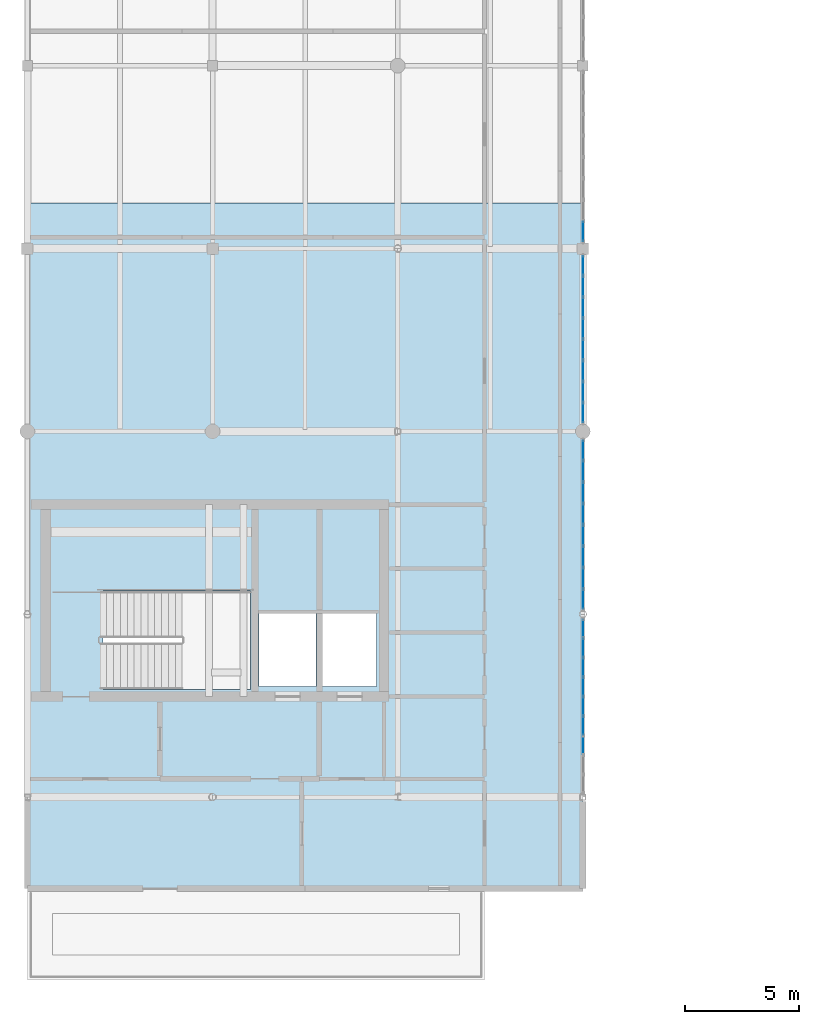
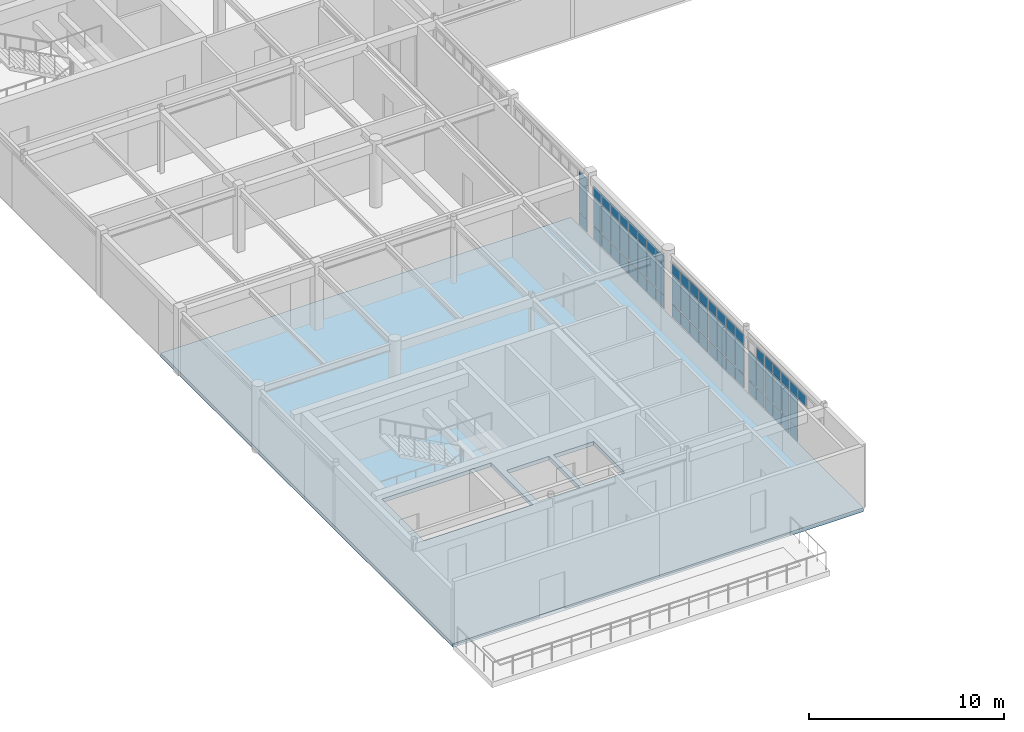
# One storey, part 9 of 18: 69 plates, 1 slab, 4 elements without a shape of their own.
"""IFC4 building model written with IfcOpenShell, lengths in metres."""

from ifc_helpers import new_model, si_unit, direction, frame, origin, origin_2d, place, context, subcontext, project, spatial, polyline, rectangle, outline, extrude, material, layer, layer_set, type_object, element, aggregate, save


model = new_model("IFC4")

# Units and contexts
model_context = context("Model", 3, precision=1e-05, world=origin(), true_north=direction((0.0, 1.0)))
body_context = subcontext(model_context, "Body", "Model", "MODEL_VIEW")
ifc_project = project(units=[si_unit("LENGTHUNIT", "METRE"), si_unit("AREAUNIT", "SQUARE_METRE"), si_unit("VOLUMEUNIT", "CUBIC_METRE"), si_unit("PLANEANGLEUNIT", "RADIAN"), si_unit("MASSUNIT", "GRAM", prefix="KILO")], contexts=[model_context])

# Site, building, storey
site_placement = place(None, origin())
site = spatial("IfcSite", under=ifc_project, at=site_placement, CompositionType="ELEMENT")
building_placement = place(site_placement, origin())
building = spatial("IfcBuilding", under=site, at=building_placement, Name="Tarnveldt Square Police Headquarters", CompositionType="ELEMENT")
storey_placement = place(building_placement, frame((0.0, 0.0, 29.10009765625)))
storey = spatial("IfcBuildingStorey", under=building, at=storey_placement, Name="L06", CompositionType="ELEMENT", Elevation=29.10009765625)

# Curtain wall, plates
ifc_material_1 = material(Name="Triple-glazed low-e laminated vision glass", Category="glass")
curtain_wall_type_1 = type_object("IfcCurtainWallType", Name="CW-UP-768x349", PredefinedType="USERDEFINED", material=ifc_material_1)
curtain_wall_1_placement = place(storey_placement, origin())
curtain_wall_1 = element("IfcCurtainWall", 1, at=curtain_wall_1_placement, inside=storey, type_object=curtain_wall_type_1, Name="L06 Curtain Wall CW-L06-089", ObjectType="GLAZED CURTAIN WALL", PredefinedType="USERDEFINED")
ifc_layer_1 = layer(ifc_material_1, 0.028076171875)
ifc_layer_set_1 = layer_set([ifc_layer_1], Name="Triple-glazed low-e laminated vision glass")
plate_type = type_object("IfcPlateType", Name="CWP-VIS-28", PredefinedType="CURTAIN_PANEL", material=ifc_layer_set_1)
plate_1_placement = place(storey_placement, frame((40.5, 58.275634765625, 2.771484375), z_axis=(0.0, 0.0, 1.0), x_axis=(0.0, 1.0, 0.0)))
plate_1 = element("IfcPlate", 2, at=plate_1_placement, type_object=plate_type, Name="CW-UP47 panel 3.3", PredefinedType="CURTAIN_PANEL", context=body_context, shape_type="SweptSolid", body=[
    extrude(rectangle(XDim=0.788330078125, YDim=0.028076171875, at=origin_2d()), origin(), (0.0, 0.0, 1.0), 0.652587890625),
])
plate_2_placement = place(storey_placement, frame((40.5, 59.129150390625, 0.06494140625), z_axis=(0.0, 0.0, 1.0), x_axis=(0.0, 1.0, 0.0)))
plate_2 = element("IfcPlate", 3, at=plate_2_placement, type_object=plate_type, Name="CW-UP47 panel 4.1", PredefinedType="CURTAIN_PANEL", context=body_context, shape_type="SweptSolid", body=[
    extrude(rectangle(XDim=0.788330078125, YDim=0.028076171875, at=origin_2d()), origin(), (0.0, 0.0, 1.0), 0.802490234375),
])
plate_3_placement = place(storey_placement, frame((40.5, 59.129150390625, 0.932373046875), z_axis=(0.0, 0.0, 1.0), x_axis=(0.0, 1.0, 0.0)))
plate_3 = element("IfcPlate", 4, at=plate_3_placement, type_object=plate_type, Name="CW-UP47 panel 4.2", PredefinedType="CURTAIN_PANEL", context=body_context, shape_type="SweptSolid", body=[
    extrude(rectangle(XDim=0.788330078125, YDim=0.028076171875, at=origin_2d()), origin(), (0.0, 0.0, 1.0), 1.77392578125),
])
plate_4_placement = place(storey_placement, frame((40.5, 59.129150390625, 2.771484375), z_axis=(0.0, 0.0, 1.0), x_axis=(0.0, 1.0, 0.0)))
plate_4 = element("IfcPlate", 5, at=plate_4_placement, type_object=plate_type, Name="CW-UP47 panel 4.3", PredefinedType="CURTAIN_PANEL", context=body_context, shape_type="SweptSolid", body=[
    extrude(rectangle(XDim=0.788330078125, YDim=0.028076171875, at=origin_2d()), origin(), (0.0, 0.0, 1.0), 0.652587890625),
])
plate_5_placement = place(storey_placement, frame((40.5, 59.982421875, 0.06494140625), z_axis=(0.0, 0.0, 1.0), x_axis=(0.0, 1.0, 0.0)))
plate_5 = element("IfcPlate", 6, at=plate_5_placement, type_object=plate_type, Name="CW-UP47 panel 5.1", PredefinedType="CURTAIN_PANEL", context=body_context, shape_type="SweptSolid", body=[
    extrude(rectangle(XDim=0.788330078125, YDim=0.028076171875, at=origin_2d()), origin(), (0.0, 0.0, 1.0), 0.802490234375),
])
plate_6_placement = place(storey_placement, frame((40.5, 59.982421875, 0.932373046875), z_axis=(0.0, 0.0, 1.0), x_axis=(0.0, 1.0, 0.0)))
plate_6 = element("IfcPlate", 7, at=plate_6_placement, type_object=plate_type, Name="CW-UP47 panel 5.2", PredefinedType="CURTAIN_PANEL", context=body_context, shape_type="SweptSolid", body=[
    extrude(rectangle(XDim=0.788330078125, YDim=0.028076171875, at=origin_2d()), origin(), (0.0, 0.0, 1.0), 1.77392578125),
])
plate_7_placement = place(storey_placement, frame((40.5, 59.982421875, 2.771484375), z_axis=(0.0, 0.0, 1.0), x_axis=(0.0, 1.0, 0.0)))
plate_7 = element("IfcPlate", 8, at=plate_7_placement, type_object=plate_type, Name="CW-UP47 panel 5.3", PredefinedType="CURTAIN_PANEL", context=body_context, shape_type="SweptSolid", body=[
    extrude(rectangle(XDim=0.788330078125, YDim=0.028076171875, at=origin_2d()), origin(), (0.0, 0.0, 1.0), 0.652587890625),
])
plate_8_placement = place(storey_placement, frame((40.5, 60.8359375, 0.06494140625), z_axis=(0.0, 0.0, 1.0), x_axis=(0.0, 1.0, 0.0)))
plate_8 = element("IfcPlate", 9, at=plate_8_placement, type_object=plate_type, Name="CW-UP47 panel 6.1", PredefinedType="CURTAIN_PANEL", context=body_context, shape_type="SweptSolid", body=[
    extrude(rectangle(XDim=0.788330078125, YDim=0.028076171875, at=origin_2d()), origin(), (0.0, 0.0, 1.0), 0.802490234375),
])
plate_9_placement = place(storey_placement, frame((40.5, 60.8359375, 0.932373046875), z_axis=(0.0, 0.0, 1.0), x_axis=(0.0, 1.0, 0.0)))
plate_9 = element("IfcPlate", 10, at=plate_9_placement, type_object=plate_type, Name="CW-UP47 panel 6.2", PredefinedType="CURTAIN_PANEL", context=body_context, shape_type="SweptSolid", body=[
    extrude(rectangle(XDim=0.788330078125, YDim=0.028076171875, at=origin_2d()), origin(), (0.0, 0.0, 1.0), 1.77392578125),
])
plate_10_placement = place(storey_placement, frame((40.5, 60.8359375, 2.771484375), z_axis=(0.0, 0.0, 1.0), x_axis=(0.0, 1.0, 0.0)))
plate_10 = element("IfcPlate", 11, at=plate_10_placement, type_object=plate_type, Name="CW-UP47 panel 6.3", PredefinedType="CURTAIN_PANEL", context=body_context, shape_type="SweptSolid", body=[
    extrude(rectangle(XDim=0.788330078125, YDim=0.028076171875, at=origin_2d()), origin(), (0.0, 0.0, 1.0), 0.652587890625),
])
plate_11_placement = place(storey_placement, frame((40.5, 61.689453125, 0.06494140625), z_axis=(0.0, 0.0, 1.0), x_axis=(0.0, 1.0, 0.0)))
plate_11 = element("IfcPlate", 12, at=plate_11_placement, type_object=plate_type, Name="CW-UP47 panel 7.1", PredefinedType="CURTAIN_PANEL", context=body_context, shape_type="SweptSolid", body=[
    extrude(rectangle(XDim=0.788330078125, YDim=0.028076171875, at=origin_2d()), origin(), (0.0, 0.0, 1.0), 0.802490234375),
])
plate_12_placement = place(storey_placement, frame((40.5, 61.689453125, 0.932373046875), z_axis=(0.0, 0.0, 1.0), x_axis=(0.0, 1.0, 0.0)))
plate_12 = element("IfcPlate", 13, at=plate_12_placement, type_object=plate_type, Name="CW-UP47 panel 7.2", PredefinedType="CURTAIN_PANEL", context=body_context, shape_type="SweptSolid", body=[
    extrude(rectangle(XDim=0.788330078125, YDim=0.028076171875, at=origin_2d()), origin(), (0.0, 0.0, 1.0), 1.77392578125),
])
plate_13_placement = place(storey_placement, frame((40.5, 61.689453125, 2.771484375), z_axis=(0.0, 0.0, 1.0), x_axis=(0.0, 1.0, 0.0)))
plate_13 = element("IfcPlate", 14, at=plate_13_placement, type_object=plate_type, Name="CW-UP47 panel 7.3", PredefinedType="CURTAIN_PANEL", context=body_context, shape_type="SweptSolid", body=[
    extrude(rectangle(XDim=0.788330078125, YDim=0.028076171875, at=origin_2d()), origin(), (0.0, 0.0, 1.0), 0.652587890625),
])
plate_14_placement = place(storey_placement, frame((40.5, 62.542724609375, 0.06494140625), z_axis=(0.0, 0.0, 1.0), x_axis=(0.0, 1.0, 0.0)))
plate_14 = element("IfcPlate", 15, at=plate_14_placement, type_object=plate_type, Name="CW-UP47 panel 8.1", PredefinedType="CURTAIN_PANEL", context=body_context, shape_type="SweptSolid", body=[
    extrude(rectangle(XDim=0.788330078125, YDim=0.028076171875, at=origin_2d()), origin(), (0.0, 0.0, 1.0), 0.802490234375),
])
plate_15_placement = place(storey_placement, frame((40.5, 62.542724609375, 0.932373046875), z_axis=(0.0, 0.0, 1.0), x_axis=(0.0, 1.0, 0.0)))
plate_15 = element("IfcPlate", 16, at=plate_15_placement, type_object=plate_type, Name="CW-UP47 panel 8.2", PredefinedType="CURTAIN_PANEL", context=body_context, shape_type="SweptSolid", body=[
    extrude(rectangle(XDim=0.788330078125, YDim=0.028076171875, at=origin_2d()), origin(), (0.0, 0.0, 1.0), 1.77392578125),
])
plate_16_placement = place(storey_placement, frame((40.5, 62.542724609375, 2.771484375), z_axis=(0.0, 0.0, 1.0), x_axis=(0.0, 1.0, 0.0)))
plate_16 = element("IfcPlate", 17, at=plate_16_placement, type_object=plate_type, Name="CW-UP47 panel 8.3", PredefinedType="CURTAIN_PANEL", context=body_context, shape_type="SweptSolid", body=[
    extrude(rectangle(XDim=0.788330078125, YDim=0.028076171875, at=origin_2d()), origin(), (0.0, 0.0, 1.0), 0.652587890625),
])
plate_17_placement = place(storey_placement, frame((40.5, 63.380126953125, 0.06494140625), z_axis=(0.0, 0.0, 1.0), x_axis=(0.0, 1.0, 0.0)))
plate_17 = element("IfcPlate", 18, at=plate_17_placement, type_object=plate_type, Name="CW-UP47 panel 9.1", PredefinedType="CURTAIN_PANEL", context=body_context, shape_type="SweptSolid", body=[
    extrude(rectangle(XDim=0.755859375, YDim=0.028076171875, at=origin_2d()), origin(), (0.0, 0.0, 1.0), 0.802490234375),
])
plate_18_placement = place(storey_placement, frame((40.5, 63.380126953125, 0.932373046875), z_axis=(0.0, 0.0, 1.0), x_axis=(0.0, 1.0, 0.0)))
plate_18 = element("IfcPlate", 19, at=plate_18_placement, type_object=plate_type, Name="CW-UP47 panel 9.2", PredefinedType="CURTAIN_PANEL", context=body_context, shape_type="SweptSolid", body=[
    extrude(rectangle(XDim=0.755859375, YDim=0.028076171875, at=origin_2d()), origin(), (0.0, 0.0, 1.0), 1.77392578125),
])
aggregate(curtain_wall_1, [plate_1, plate_2, plate_3, plate_4, plate_5, plate_6, plate_7, plate_8, plate_9, plate_10, plate_11, plate_12, plate_13, plate_14, plate_15, plate_16, plate_17, plate_18])

curtain_wall_type_2 = type_object("IfcCurtainWallType", Name="CW-UP-748x349", PredefinedType="USERDEFINED", material=ifc_material_1)
curtain_wall_2_placement = place(storey_placement, origin())
curtain_wall_2 = element("IfcCurtainWall", 20, at=curtain_wall_2_placement, inside=storey, type_object=curtain_wall_type_2, Name="L06 Curtain Wall CW-L06-090", ObjectType="GLAZED CURTAIN WALL", PredefinedType="USERDEFINED")
plate_19_placement = place(storey_placement, frame((40.5, 64.660888671875, 0.06494140625), z_axis=(0.0, 0.0, 1.0), x_axis=(0.0, 1.0, 0.0)))
plate_19 = element("IfcPlate", 21, at=plate_19_placement, type_object=plate_type, Name="CW-UP44 panel 1.1", PredefinedType="CURTAIN_PANEL", context=body_context, shape_type="SweptSolid", body=[
    extrude(rectangle(XDim=0.837890625, YDim=0.028076171875, at=origin_2d()), origin(), (0.0, 0.0, 1.0), 0.802490234375),
])
plate_20_placement = place(storey_placement, frame((40.5, 64.660888671875, 0.932373046875), z_axis=(0.0, 0.0, 1.0), x_axis=(0.0, 1.0, 0.0)))
plate_20 = element("IfcPlate", 22, at=plate_20_placement, type_object=plate_type, Name="CW-UP44 panel 1.2", PredefinedType="CURTAIN_PANEL", context=body_context, shape_type="SweptSolid", body=[
    extrude(rectangle(XDim=0.837890625, YDim=0.028076171875, at=origin_2d()), origin(), (0.0, 0.0, 1.0), 1.77392578125),
])
plate_21_placement = place(storey_placement, frame((40.5, 64.660888671875, 2.771484375), z_axis=(0.0, 0.0, 1.0), x_axis=(0.0, 1.0, 0.0)))
plate_21 = element("IfcPlate", 23, at=plate_21_placement, type_object=plate_type, Name="CW-UP44 panel 1.3", PredefinedType="CURTAIN_PANEL", context=body_context, shape_type="SweptSolid", body=[
    extrude(rectangle(XDim=0.837890625, YDim=0.028076171875, at=origin_2d()), origin(), (0.0, 0.0, 1.0), 0.652587890625),
])
plate_22_placement = place(storey_placement, frame((40.5, 65.580078125, 0.06494140625), z_axis=(0.0, 0.0, 1.0), x_axis=(0.0, 1.0, 0.0)))
plate_22 = element("IfcPlate", 24, at=plate_22_placement, type_object=plate_type, Name="CW-UP44 panel 2.1", PredefinedType="CURTAIN_PANEL", context=body_context, shape_type="SweptSolid", body=[
    extrude(rectangle(XDim=0.870361328125, YDim=0.028076171875, at=origin_2d()), origin(), (0.0, 0.0, 1.0), 0.802490234375),
])
plate_23_placement = place(storey_placement, frame((40.5, 65.580078125, 0.932373046875), z_axis=(0.0, 0.0, 1.0), x_axis=(0.0, 1.0, 0.0)))
plate_23 = element("IfcPlate", 25, at=plate_23_placement, type_object=plate_type, Name="CW-UP44 panel 2.2", PredefinedType="CURTAIN_PANEL", context=body_context, shape_type="SweptSolid", body=[
    extrude(rectangle(XDim=0.870361328125, YDim=0.028076171875, at=origin_2d()), origin(), (0.0, 0.0, 1.0), 1.77392578125),
])
plate_24_placement = place(storey_placement, frame((40.5, 65.580078125, 2.771484375), z_axis=(0.0, 0.0, 1.0), x_axis=(0.0, 1.0, 0.0)))
plate_24 = element("IfcPlate", 26, at=plate_24_placement, type_object=plate_type, Name="CW-UP44 panel 2.3", PredefinedType="CURTAIN_PANEL", context=body_context, shape_type="SweptSolid", body=[
    extrude(rectangle(XDim=0.870361328125, YDim=0.028076171875, at=origin_2d()), origin(), (0.0, 0.0, 1.0), 0.652587890625),
])
plate_25_placement = place(storey_placement, frame((40.5, 66.515380859375, 0.06494140625), z_axis=(0.0, 0.0, 1.0), x_axis=(0.0, 1.0, 0.0)))
plate_25 = element("IfcPlate", 27, at=plate_25_placement, type_object=plate_type, Name="CW-UP44 panel 3.1", PredefinedType="CURTAIN_PANEL", context=body_context, shape_type="SweptSolid", body=[
    extrude(rectangle(XDim=0.870361328125, YDim=0.028076171875, at=origin_2d()), origin(), (0.0, 0.0, 1.0), 0.802490234375),
])
plate_26_placement = place(storey_placement, frame((40.5, 66.515380859375, 0.932373046875), z_axis=(0.0, 0.0, 1.0), x_axis=(0.0, 1.0, 0.0)))
plate_26 = element("IfcPlate", 28, at=plate_26_placement, type_object=plate_type, Name="CW-UP44 panel 3.2", PredefinedType="CURTAIN_PANEL", context=body_context, shape_type="SweptSolid", body=[
    extrude(rectangle(XDim=0.870361328125, YDim=0.028076171875, at=origin_2d()), origin(), (0.0, 0.0, 1.0), 1.77392578125),
])
plate_27_placement = place(storey_placement, frame((40.5, 66.515380859375, 2.771484375), z_axis=(0.0, 0.0, 1.0), x_axis=(0.0, 1.0, 0.0)))
plate_27 = element("IfcPlate", 29, at=plate_27_placement, type_object=plate_type, Name="CW-UP44 panel 3.3", PredefinedType="CURTAIN_PANEL", context=body_context, shape_type="SweptSolid", body=[
    extrude(rectangle(XDim=0.870361328125, YDim=0.028076171875, at=origin_2d()), origin(), (0.0, 0.0, 1.0), 0.652587890625),
])
plate_28_placement = place(storey_placement, frame((40.5, 67.450927734375, 0.06494140625), z_axis=(0.0, 0.0, 1.0), x_axis=(0.0, 1.0, 0.0)))
plate_28 = element("IfcPlate", 30, at=plate_28_placement, type_object=plate_type, Name="CW-UP44 panel 4.1", PredefinedType="CURTAIN_PANEL", context=body_context, shape_type="SweptSolid", body=[
    extrude(rectangle(XDim=0.870361328125, YDim=0.028076171875, at=origin_2d()), origin(), (0.0, 0.0, 1.0), 0.802490234375),
])
plate_29_placement = place(storey_placement, frame((40.5, 67.450927734375, 0.932373046875), z_axis=(0.0, 0.0, 1.0), x_axis=(0.0, 1.0, 0.0)))
plate_29 = element("IfcPlate", 31, at=plate_29_placement, type_object=plate_type, Name="CW-UP44 panel 4.2", PredefinedType="CURTAIN_PANEL", context=body_context, shape_type="SweptSolid", body=[
    extrude(rectangle(XDim=0.870361328125, YDim=0.028076171875, at=origin_2d()), origin(), (0.0, 0.0, 1.0), 1.77392578125),
])
plate_30_placement = place(storey_placement, frame((40.5, 67.450927734375, 2.771484375), z_axis=(0.0, 0.0, 1.0), x_axis=(0.0, 1.0, 0.0)))
plate_30 = element("IfcPlate", 32, at=plate_30_placement, type_object=plate_type, Name="CW-UP44 panel 4.3", PredefinedType="CURTAIN_PANEL", context=body_context, shape_type="SweptSolid", body=[
    extrude(rectangle(XDim=0.870361328125, YDim=0.028076171875, at=origin_2d()), origin(), (0.0, 0.0, 1.0), 0.652587890625),
])
plate_31_placement = place(storey_placement, frame((40.5, 68.38623046875, 0.06494140625), z_axis=(0.0, 0.0, 1.0), x_axis=(0.0, 1.0, 0.0)))
plate_31 = element("IfcPlate", 33, at=plate_31_placement, type_object=plate_type, Name="CW-UP44 panel 5.1", PredefinedType="CURTAIN_PANEL", context=body_context, shape_type="SweptSolid", body=[
    extrude(rectangle(XDim=0.870361328125, YDim=0.028076171875, at=origin_2d()), origin(), (0.0, 0.0, 1.0), 0.802490234375),
])
plate_32_placement = place(storey_placement, frame((40.5, 68.38623046875, 0.932373046875), z_axis=(0.0, 0.0, 1.0), x_axis=(0.0, 1.0, 0.0)))
plate_32 = element("IfcPlate", 34, at=plate_32_placement, type_object=plate_type, Name="CW-UP44 panel 5.2", PredefinedType="CURTAIN_PANEL", context=body_context, shape_type="SweptSolid", body=[
    extrude(rectangle(XDim=0.870361328125, YDim=0.028076171875, at=origin_2d()), origin(), (0.0, 0.0, 1.0), 1.77392578125),
])
plate_33_placement = place(storey_placement, frame((40.5, 68.38623046875, 2.771484375), z_axis=(0.0, 0.0, 1.0), x_axis=(0.0, 1.0, 0.0)))
plate_33 = element("IfcPlate", 35, at=plate_33_placement, type_object=plate_type, Name="CW-UP44 panel 5.3", PredefinedType="CURTAIN_PANEL", context=body_context, shape_type="SweptSolid", body=[
    extrude(rectangle(XDim=0.870361328125, YDim=0.028076171875, at=origin_2d()), origin(), (0.0, 0.0, 1.0), 0.652587890625),
])
plate_34_placement = place(storey_placement, frame((40.5, 69.321533203125, 0.06494140625), z_axis=(0.0, 0.0, 1.0), x_axis=(0.0, 1.0, 0.0)))
plate_34 = element("IfcPlate", 36, at=plate_34_placement, type_object=plate_type, Name="CW-UP44 panel 6.1", PredefinedType="CURTAIN_PANEL", context=body_context, shape_type="SweptSolid", body=[
    extrude(rectangle(XDim=0.870361328125, YDim=0.028076171875, at=origin_2d()), origin(), (0.0, 0.0, 1.0), 0.802490234375),
])
plate_35_placement = place(storey_placement, frame((40.5, 69.321533203125, 0.932373046875), z_axis=(0.0, 0.0, 1.0), x_axis=(0.0, 1.0, 0.0)))
plate_35 = element("IfcPlate", 37, at=plate_35_placement, type_object=plate_type, Name="CW-UP44 panel 6.2", PredefinedType="CURTAIN_PANEL", context=body_context, shape_type="SweptSolid", body=[
    extrude(rectangle(XDim=0.870361328125, YDim=0.028076171875, at=origin_2d()), origin(), (0.0, 0.0, 1.0), 1.77392578125),
])
plate_36_placement = place(storey_placement, frame((40.5, 69.321533203125, 2.771484375), z_axis=(0.0, 0.0, 1.0), x_axis=(0.0, 1.0, 0.0)))
plate_36 = element("IfcPlate", 38, at=plate_36_placement, type_object=plate_type, Name="CW-UP44 panel 6.3", PredefinedType="CURTAIN_PANEL", context=body_context, shape_type="SweptSolid", body=[
    extrude(rectangle(XDim=0.870361328125, YDim=0.028076171875, at=origin_2d()), origin(), (0.0, 0.0, 1.0), 0.652587890625),
])
plate_37_placement = place(storey_placement, frame((40.5, 70.2568359375, 0.06494140625), z_axis=(0.0, 0.0, 1.0), x_axis=(0.0, 1.0, 0.0)))
plate_37 = element("IfcPlate", 39, at=plate_37_placement, type_object=plate_type, Name="CW-UP44 panel 7.1", PredefinedType="CURTAIN_PANEL", context=body_context, shape_type="SweptSolid", body=[
    extrude(rectangle(XDim=0.870361328125, YDim=0.028076171875, at=origin_2d()), origin(), (0.0, 0.0, 1.0), 0.802490234375),
])
plate_38_placement = place(storey_placement, frame((40.5, 70.2568359375, 0.932373046875), z_axis=(0.0, 0.0, 1.0), x_axis=(0.0, 1.0, 0.0)))
plate_38 = element("IfcPlate", 40, at=plate_38_placement, type_object=plate_type, Name="CW-UP44 panel 7.2", PredefinedType="CURTAIN_PANEL", context=body_context, shape_type="SweptSolid", body=[
    extrude(rectangle(XDim=0.870361328125, YDim=0.028076171875, at=origin_2d()), origin(), (0.0, 0.0, 1.0), 1.77392578125),
])
plate_39_placement = place(storey_placement, frame((40.5, 70.2568359375, 2.771484375), z_axis=(0.0, 0.0, 1.0), x_axis=(0.0, 1.0, 0.0)))
plate_39 = element("IfcPlate", 41, at=plate_39_placement, type_object=plate_type, Name="CW-UP44 panel 7.3", PredefinedType="CURTAIN_PANEL", context=body_context, shape_type="SweptSolid", body=[
    extrude(rectangle(XDim=0.870361328125, YDim=0.028076171875, at=origin_2d()), origin(), (0.0, 0.0, 1.0), 0.652587890625),
])
plate_40_placement = place(storey_placement, frame((40.5, 71.176025390625, 0.06494140625), z_axis=(0.0, 0.0, 1.0), x_axis=(0.0, 1.0, 0.0)))
plate_40 = element("IfcPlate", 42, at=plate_40_placement, type_object=plate_type, Name="CW-UP44 panel 8.1", PredefinedType="CURTAIN_PANEL", context=body_context, shape_type="SweptSolid", body=[
    extrude(rectangle(XDim=0.837890625, YDim=0.028076171875, at=origin_2d()), origin(), (0.0, 0.0, 1.0), 0.802490234375),
])
plate_41_placement = place(storey_placement, frame((40.5, 71.176025390625, 0.932373046875), z_axis=(0.0, 0.0, 1.0), x_axis=(0.0, 1.0, 0.0)))
plate_41 = element("IfcPlate", 43, at=plate_41_placement, type_object=plate_type, Name="CW-UP44 panel 8.2", PredefinedType="CURTAIN_PANEL", context=body_context, shape_type="SweptSolid", body=[
    extrude(rectangle(XDim=0.837890625, YDim=0.028076171875, at=origin_2d()), origin(), (0.0, 0.0, 1.0), 1.77392578125),
])
plate_42_placement = place(storey_placement, frame((40.5, 71.176025390625, 2.771484375), z_axis=(0.0, 0.0, 1.0), x_axis=(0.0, 1.0, 0.0)))
plate_42 = element("IfcPlate", 44, at=plate_42_placement, type_object=plate_type, Name="CW-UP44 panel 8.3", PredefinedType="CURTAIN_PANEL", context=body_context, shape_type="SweptSolid", body=[
    extrude(rectangle(XDim=0.837890625, YDim=0.028076171875, at=origin_2d()), origin(), (0.0, 0.0, 1.0), 0.652587890625),
])
aggregate(curtain_wall_2, [plate_19, plate_20, plate_21, plate_22, plate_23, plate_24, plate_25, plate_26, plate_27, plate_28, plate_29, plate_30, plate_31, plate_32, plate_33, plate_34, plate_35, plate_36, plate_37, plate_38, plate_39, plate_40, plate_41, plate_42])

curtain_wall_type_3 = type_object("IfcCurtainWallType", Name="CW-UP-739x345", PredefinedType="USERDEFINED", material=ifc_material_1)
curtain_wall_3_placement = place(storey_placement, origin())
curtain_wall_3 = element("IfcCurtainWall", 45, at=curtain_wall_3_placement, inside=storey, type_object=curtain_wall_type_3, Name="L06 Curtain Wall CW-L06-091", ObjectType="GLAZED CURTAIN WALL", PredefinedType="USERDEFINED")
plate_43_placement = place(storey_placement, frame((40.5, 72.818359375, 0.06494140625), z_axis=(0.0, 0.0, 1.0), x_axis=(0.0, 1.0, 0.0)))
plate_43 = element("IfcPlate", 46, at=plate_43_placement, type_object=plate_type, Name="CW-UP48 panel 1.1", PredefinedType="CURTAIN_PANEL", context=body_context, shape_type="SweptSolid", body=[
    extrude(rectangle(XDim=0.826904296875, YDim=0.028076171875, at=origin_2d()), origin(), (0.0, 0.0, 1.0), 0.802490234375),
])
plate_44_placement = place(storey_placement, frame((40.5, 72.818359375, 0.93212890625), z_axis=(0.0, 0.0, 1.0), x_axis=(0.0, 1.0, 0.0)))
plate_44 = element("IfcPlate", 47, at=plate_44_placement, type_object=plate_type, Name="CW-UP48 panel 1.2", PredefinedType="CURTAIN_PANEL", context=body_context, shape_type="SweptSolid", body=[
    extrude(rectangle(XDim=0.826904296875, YDim=0.028076171875, at=origin_2d()), origin(), (0.0, 0.0, 1.0), 1.737060546875),
])
plate_45_placement = place(storey_placement, frame((40.5, 72.818359375, 2.734375), z_axis=(0.0, 0.0, 1.0), x_axis=(0.0, 1.0, 0.0)))
plate_45 = element("IfcPlate", 48, at=plate_45_placement, type_object=plate_type, Name="CW-UP48 panel 1.3", PredefinedType="CURTAIN_PANEL", context=body_context, shape_type="SweptSolid", body=[
    extrude(rectangle(XDim=0.826904296875, YDim=0.028076171875, at=origin_2d()), origin(), (0.0, 0.0, 1.0), 0.652587890625),
])
plate_46_placement = place(storey_placement, frame((40.5, 73.7265625, 0.06494140625), z_axis=(0.0, 0.0, 1.0), x_axis=(0.0, 1.0, 0.0)))
plate_46 = element("IfcPlate", 49, at=plate_46_placement, type_object=plate_type, Name="CW-UP48 panel 2.1", PredefinedType="CURTAIN_PANEL", context=body_context, shape_type="SweptSolid", body=[
    extrude(rectangle(XDim=0.859375, YDim=0.028076171875, at=origin_2d()), origin(), (0.0, 0.0, 1.0), 0.802490234375),
])
plate_47_placement = place(storey_placement, frame((40.5, 73.7265625, 0.93212890625), z_axis=(0.0, 0.0, 1.0), x_axis=(0.0, 1.0, 0.0)))
plate_47 = element("IfcPlate", 50, at=plate_47_placement, type_object=plate_type, Name="CW-UP48 panel 2.2", PredefinedType="CURTAIN_PANEL", context=body_context, shape_type="SweptSolid", body=[
    extrude(rectangle(XDim=0.859375, YDim=0.028076171875, at=origin_2d()), origin(), (0.0, 0.0, 1.0), 1.737060546875),
])
plate_48_placement = place(storey_placement, frame((40.5, 73.7265625, 2.734375), z_axis=(0.0, 0.0, 1.0), x_axis=(0.0, 1.0, 0.0)))
plate_48 = element("IfcPlate", 51, at=plate_48_placement, type_object=plate_type, Name="CW-UP48 panel 2.3", PredefinedType="CURTAIN_PANEL", context=body_context, shape_type="SweptSolid", body=[
    extrude(rectangle(XDim=0.859375, YDim=0.028076171875, at=origin_2d()), origin(), (0.0, 0.0, 1.0), 0.652587890625),
])
plate_49_placement = place(storey_placement, frame((40.5, 74.65087890625, 0.06494140625), z_axis=(0.0, 0.0, 1.0), x_axis=(0.0, 1.0, 0.0)))
plate_49 = element("IfcPlate", 52, at=plate_49_placement, type_object=plate_type, Name="CW-UP48 panel 3.1", PredefinedType="CURTAIN_PANEL", context=body_context, shape_type="SweptSolid", body=[
    extrude(rectangle(XDim=0.859375, YDim=0.028076171875, at=origin_2d()), origin(), (0.0, 0.0, 1.0), 0.802490234375),
])
plate_50_placement = place(storey_placement, frame((40.5, 74.65087890625, 0.93212890625), z_axis=(0.0, 0.0, 1.0), x_axis=(0.0, 1.0, 0.0)))
plate_50 = element("IfcPlate", 53, at=plate_50_placement, type_object=plate_type, Name="CW-UP48 panel 3.2", PredefinedType="CURTAIN_PANEL", context=body_context, shape_type="SweptSolid", body=[
    extrude(rectangle(XDim=0.859375, YDim=0.028076171875, at=origin_2d()), origin(), (0.0, 0.0, 1.0), 1.737060546875),
])
plate_51_placement = place(storey_placement, frame((40.5, 74.65087890625, 2.734375), z_axis=(0.0, 0.0, 1.0), x_axis=(0.0, 1.0, 0.0)))
plate_51 = element("IfcPlate", 54, at=plate_51_placement, type_object=plate_type, Name="CW-UP48 panel 3.3", PredefinedType="CURTAIN_PANEL", context=body_context, shape_type="SweptSolid", body=[
    extrude(rectangle(XDim=0.859375, YDim=0.028076171875, at=origin_2d()), origin(), (0.0, 0.0, 1.0), 0.652587890625),
])
plate_52_placement = place(storey_placement, frame((40.5, 75.5751953125, 0.06494140625), z_axis=(0.0, 0.0, 1.0), x_axis=(0.0, 1.0, 0.0)))
plate_52 = element("IfcPlate", 55, at=plate_52_placement, type_object=plate_type, Name="CW-UP48 panel 4.1", PredefinedType="CURTAIN_PANEL", context=body_context, shape_type="SweptSolid", body=[
    extrude(rectangle(XDim=0.859375, YDim=0.028076171875, at=origin_2d()), origin(), (0.0, 0.0, 1.0), 0.802490234375),
])
plate_53_placement = place(storey_placement, frame((40.5, 75.5751953125, 0.93212890625), z_axis=(0.0, 0.0, 1.0), x_axis=(0.0, 1.0, 0.0)))
plate_53 = element("IfcPlate", 56, at=plate_53_placement, type_object=plate_type, Name="CW-UP48 panel 4.2", PredefinedType="CURTAIN_PANEL", context=body_context, shape_type="SweptSolid", body=[
    extrude(rectangle(XDim=0.859375, YDim=0.028076171875, at=origin_2d()), origin(), (0.0, 0.0, 1.0), 1.737060546875),
])
plate_54_placement = place(storey_placement, frame((40.5, 75.5751953125, 2.734375), z_axis=(0.0, 0.0, 1.0), x_axis=(0.0, 1.0, 0.0)))
plate_54 = element("IfcPlate", 57, at=plate_54_placement, type_object=plate_type, Name="CW-UP48 panel 4.3", PredefinedType="CURTAIN_PANEL", context=body_context, shape_type="SweptSolid", body=[
    extrude(rectangle(XDim=0.859375, YDim=0.028076171875, at=origin_2d()), origin(), (0.0, 0.0, 1.0), 0.652587890625),
])
plate_55_placement = place(storey_placement, frame((40.5, 76.499755859375, 0.06494140625), z_axis=(0.0, 0.0, 1.0), x_axis=(0.0, 1.0, 0.0)))
plate_55 = element("IfcPlate", 58, at=plate_55_placement, type_object=plate_type, Name="CW-UP48 panel 5.1", PredefinedType="CURTAIN_PANEL", context=body_context, shape_type="SweptSolid", body=[
    extrude(rectangle(XDim=0.859375, YDim=0.028076171875, at=origin_2d()), origin(), (0.0, 0.0, 1.0), 0.802490234375),
])
plate_56_placement = place(storey_placement, frame((40.5, 76.499755859375, 0.93212890625), z_axis=(0.0, 0.0, 1.0), x_axis=(0.0, 1.0, 0.0)))
plate_56 = element("IfcPlate", 59, at=plate_56_placement, type_object=plate_type, Name="CW-UP48 panel 5.2", PredefinedType="CURTAIN_PANEL", context=body_context, shape_type="SweptSolid", body=[
    extrude(rectangle(XDim=0.859375, YDim=0.028076171875, at=origin_2d()), origin(), (0.0, 0.0, 1.0), 1.737060546875),
])
plate_57_placement = place(storey_placement, frame((40.5, 76.499755859375, 2.734375), z_axis=(0.0, 0.0, 1.0), x_axis=(0.0, 1.0, 0.0)))
plate_57 = element("IfcPlate", 60, at=plate_57_placement, type_object=plate_type, Name="CW-UP48 panel 5.3", PredefinedType="CURTAIN_PANEL", context=body_context, shape_type="SweptSolid", body=[
    extrude(rectangle(XDim=0.859375, YDim=0.028076171875, at=origin_2d()), origin(), (0.0, 0.0, 1.0), 0.652587890625),
])
plate_58_placement = place(storey_placement, frame((40.5, 77.424072265625, 0.06494140625), z_axis=(0.0, 0.0, 1.0), x_axis=(0.0, 1.0, 0.0)))
plate_58 = element("IfcPlate", 61, at=plate_58_placement, type_object=plate_type, Name="CW-UP48 panel 6.1", PredefinedType="CURTAIN_PANEL", context=body_context, shape_type="SweptSolid", body=[
    extrude(rectangle(XDim=0.859375, YDim=0.028076171875, at=origin_2d()), origin(), (0.0, 0.0, 1.0), 0.802490234375),
])
plate_59_placement = place(storey_placement, frame((40.5, 77.424072265625, 0.93212890625), z_axis=(0.0, 0.0, 1.0), x_axis=(0.0, 1.0, 0.0)))
plate_59 = element("IfcPlate", 62, at=plate_59_placement, type_object=plate_type, Name="CW-UP48 panel 6.2", PredefinedType="CURTAIN_PANEL", context=body_context, shape_type="SweptSolid", body=[
    extrude(rectangle(XDim=0.859375, YDim=0.028076171875, at=origin_2d()), origin(), (0.0, 0.0, 1.0), 1.737060546875),
])
plate_60_placement = place(storey_placement, frame((40.5, 77.424072265625, 2.734375), z_axis=(0.0, 0.0, 1.0), x_axis=(0.0, 1.0, 0.0)))
plate_60 = element("IfcPlate", 63, at=plate_60_placement, type_object=plate_type, Name="CW-UP48 panel 6.3", PredefinedType="CURTAIN_PANEL", context=body_context, shape_type="SweptSolid", body=[
    extrude(rectangle(XDim=0.859375, YDim=0.028076171875, at=origin_2d()), origin(), (0.0, 0.0, 1.0), 0.652587890625),
])
plate_61_placement = place(storey_placement, frame((40.5, 78.348388671875, 0.06494140625), z_axis=(0.0, 0.0, 1.0), x_axis=(0.0, 1.0, 0.0)))
plate_61 = element("IfcPlate", 64, at=plate_61_placement, type_object=plate_type, Name="CW-UP48 panel 7.1", PredefinedType="CURTAIN_PANEL", context=body_context, shape_type="SweptSolid", body=[
    extrude(rectangle(XDim=0.859375, YDim=0.028076171875, at=origin_2d()), origin(), (0.0, 0.0, 1.0), 0.802490234375),
])
plate_62_placement = place(storey_placement, frame((40.5, 78.348388671875, 0.93212890625), z_axis=(0.0, 0.0, 1.0), x_axis=(0.0, 1.0, 0.0)))
plate_62 = element("IfcPlate", 65, at=plate_62_placement, type_object=plate_type, Name="CW-UP48 panel 7.2", PredefinedType="CURTAIN_PANEL", context=body_context, shape_type="SweptSolid", body=[
    extrude(rectangle(XDim=0.859375, YDim=0.028076171875, at=origin_2d()), origin(), (0.0, 0.0, 1.0), 1.737060546875),
])
plate_63_placement = place(storey_placement, frame((40.5, 78.348388671875, 2.734375), z_axis=(0.0, 0.0, 1.0), x_axis=(0.0, 1.0, 0.0)))
plate_63 = element("IfcPlate", 66, at=plate_63_placement, type_object=plate_type, Name="CW-UP48 panel 7.3", PredefinedType="CURTAIN_PANEL", context=body_context, shape_type="SweptSolid", body=[
    extrude(rectangle(XDim=0.859375, YDim=0.028076171875, at=origin_2d()), origin(), (0.0, 0.0, 1.0), 0.652587890625),
])
plate_64_placement = place(storey_placement, frame((40.5, 79.256591796875, 0.06494140625), z_axis=(0.0, 0.0, 1.0), x_axis=(0.0, 1.0, 0.0)))
plate_64 = element("IfcPlate", 67, at=plate_64_placement, type_object=plate_type, Name="CW-UP48 panel 8.1", PredefinedType="CURTAIN_PANEL", context=body_context, shape_type="SweptSolid", body=[
    extrude(rectangle(XDim=0.826904296875, YDim=0.028076171875, at=origin_2d()), origin(), (0.0, 0.0, 1.0), 0.802490234375),
])
plate_65_placement = place(storey_placement, frame((40.5, 79.256591796875, 0.93212890625), z_axis=(0.0, 0.0, 1.0), x_axis=(0.0, 1.0, 0.0)))
plate_65 = element("IfcPlate", 68, at=plate_65_placement, type_object=plate_type, Name="CW-UP48 panel 8.2", PredefinedType="CURTAIN_PANEL", context=body_context, shape_type="SweptSolid", body=[
    extrude(rectangle(XDim=0.826904296875, YDim=0.028076171875, at=origin_2d()), origin(), (0.0, 0.0, 1.0), 1.737060546875),
])
plate_66_placement = place(storey_placement, frame((40.5, 79.256591796875, 2.734375), z_axis=(0.0, 0.0, 1.0), x_axis=(0.0, 1.0, 0.0)))
plate_66 = element("IfcPlate", 69, at=plate_66_placement, type_object=plate_type, Name="CW-UP48 panel 8.3", PredefinedType="CURTAIN_PANEL", context=body_context, shape_type="SweptSolid", body=[
    extrude(rectangle(XDim=0.826904296875, YDim=0.028076171875, at=origin_2d()), origin(), (0.0, 0.0, 1.0), 0.652587890625),
])
aggregate(curtain_wall_3, [plate_43, plate_44, plate_45, plate_46, plate_47, plate_48, plate_49, plate_50, plate_51, plate_52, plate_53, plate_54, plate_55, plate_56, plate_57, plate_58, plate_59, plate_60, plate_61, plate_62, plate_63, plate_64, plate_65, plate_66])

curtain_wall_type_4 = type_object("IfcCurtainWallType", Name="CW-UP-750x349", PredefinedType="USERDEFINED", material=ifc_material_1)
curtain_wall_4_placement = place(storey_placement, origin())
curtain_wall_4 = element("IfcCurtainWall", 70, at=curtain_wall_4_placement, inside=storey, type_object=curtain_wall_type_4, Name="L06 Curtain Wall CW-L06-092", ObjectType="GLAZED CURTAIN WALL", PredefinedType="USERDEFINED")
plate_67_placement = place(storey_placement, frame((40.5, 80.749755859375, 0.06494140625), z_axis=(0.0, 0.0, 1.0), x_axis=(0.0, 1.0, 0.0)))
plate_67 = element("IfcPlate", 71, at=plate_67_placement, type_object=plate_type, Name="CW-UP49 panel 1.1", PredefinedType="CURTAIN_PANEL", context=body_context, shape_type="SweptSolid", body=[
    extrude(rectangle(XDim=0.83935546875, YDim=0.028076171875, at=origin_2d()), origin(), (0.0, 0.0, 1.0), 0.802490234375),
])
plate_68_placement = place(storey_placement, frame((40.5, 80.749755859375, 0.932373046875), z_axis=(0.0, 0.0, 1.0), x_axis=(0.0, 1.0, 0.0)))
plate_68 = element("IfcPlate", 72, at=plate_68_placement, type_object=plate_type, Name="CW-UP49 panel 1.2", PredefinedType="CURTAIN_PANEL", context=body_context, shape_type="SweptSolid", body=[
    extrude(rectangle(XDim=0.83935546875, YDim=0.028076171875, at=origin_2d()), origin(), (0.0, 0.0, 1.0), 1.77392578125),
])
plate_69_placement = place(storey_placement, frame((40.5, 80.749755859375, 2.771484375), z_axis=(0.0, 0.0, 1.0), x_axis=(0.0, 1.0, 0.0)))
plate_69 = element("IfcPlate", 73, at=plate_69_placement, type_object=plate_type, Name="CW-UP49 panel 1.3", PredefinedType="CURTAIN_PANEL", context=body_context, shape_type="SweptSolid", body=[
    extrude(rectangle(XDim=0.83935546875, YDim=0.028076171875, at=origin_2d()), origin(), (0.0, 0.0, 1.0), 0.652587890625),
])
aggregate(curtain_wall_4, [plate_67, plate_68, plate_69])

# Slab
ifc_material_2 = material(Name="Concrete 40 MPa", Category="concrete")
ifc_layer_2 = layer(ifc_material_2, 0.239990234375)
ifc_layer_set_2 = layer_set([ifc_layer_2], Name="Concrete 40 MPa")
slab_type = type_object("IfcSlabType", Name="SL-UPP-240", PredefinedType="FLOOR", material=ifc_layer_set_2)
slab_placement = place(storey_placement, frame((0.0, 0.0, -0.239990234375)))
element("IfcSlab", 74, at=slab_placement, inside=storey, type_object=slab_type, Name="L06 Structural Floor Slab L06-V5-1", PredefinedType="FLOOR", context=body_context, shape_type="SweptSolid", body=[
    extrude(outline(polyline([(40.5, 52.0), (16.199951171875, 52.0), (16.199951171875, 82.0), (40.5, 82.0), (40.5, 52.0)]), holes=[polyline([(26.330078125, 60.85009765625), (28.8349609375, 60.85009765625), (28.8349609375, 64.050048828125), (26.330078125, 64.050048828125), (26.330078125, 60.85009765625)]), polyline([(29.114990234375, 60.85009765625), (31.47998046875, 60.85009765625), (31.47998046875, 64.050048828125), (29.114990234375, 64.050048828125), (29.114990234375, 60.85009765625)]), polyline([(19.510009765625, 60.719970703125), (25.969970703125, 60.719970703125), (25.969970703125, 65.02001953125), (19.510009765625, 65.02001953125), (19.510009765625, 60.719970703125)])]), origin(), (0.0, 0.0, 1.0), 0.239990234375),
])

save(model, "model.ifc")
